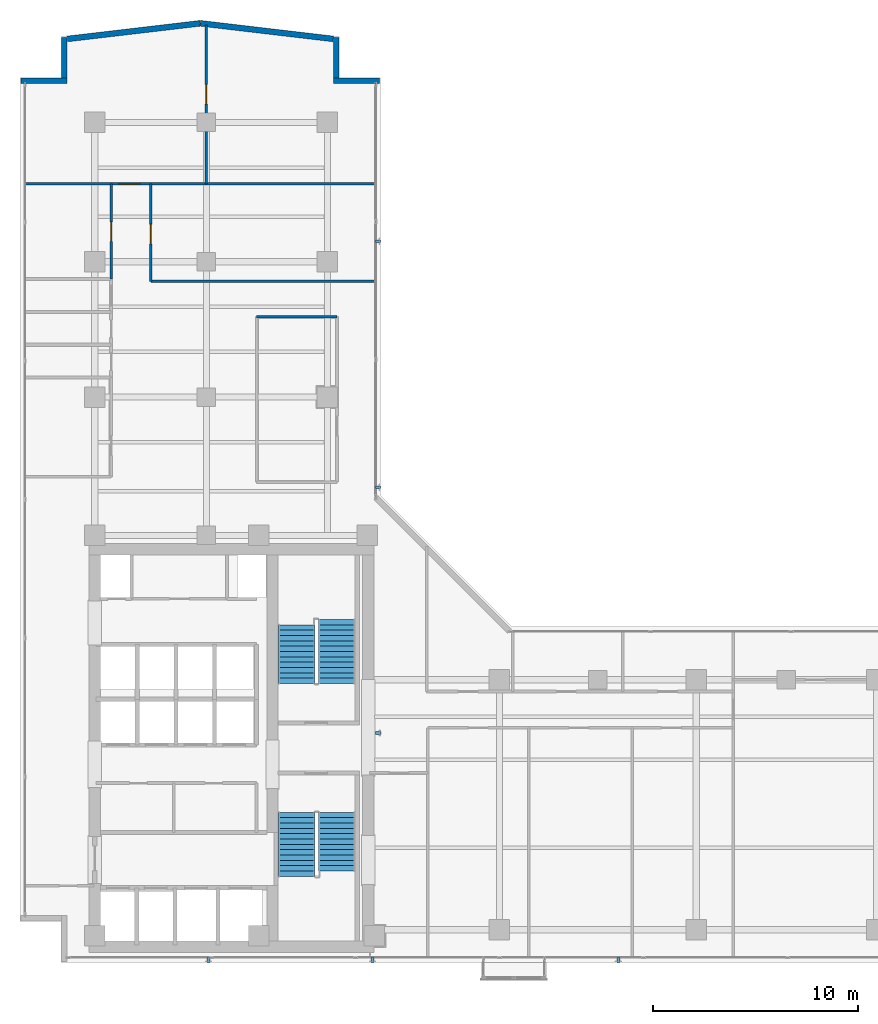
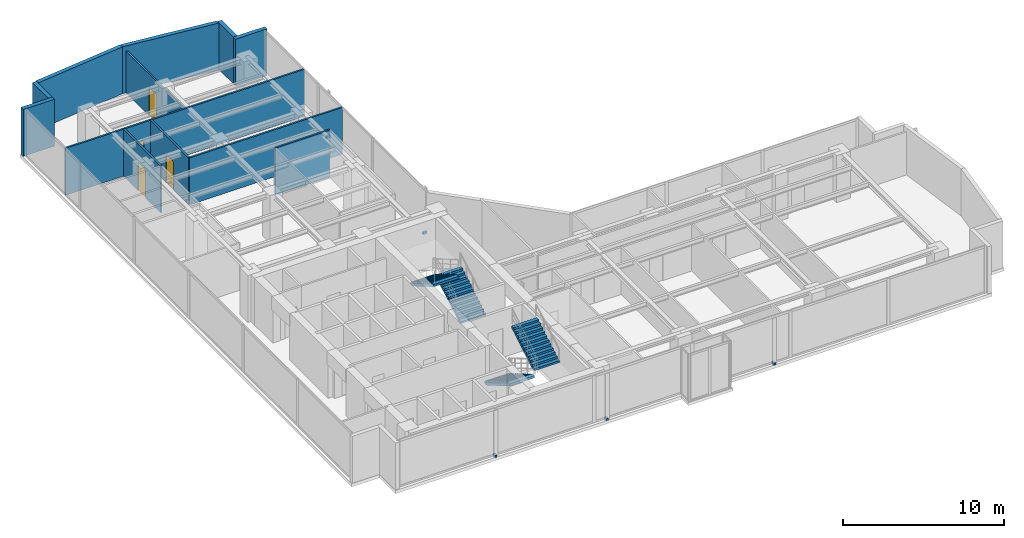
# One storey, part 19 of 23: 12 walls, 6 discrete accessories, 4 doors, 4 stair flights, 4 openings, 2 elements without a shape of their own.
"""IFC4 building model written with IfcOpenShell, lengths in metres."""

from ifc_helpers import new_model, si_unit, direction, frame, frame_2d, origin, origin_with_axes, origin_2d, place, context, subcontext, project, spatial, polyline, rectangle, outline, extrude, source, transform, mapped, material, layer, layer_set, type_object, element, fill, aggregate, save


model = new_model("IFC4")

# Units and contexts
model_context = context("Model", 3, precision=1e-05, world=origin(), true_north=direction((0.0, 1.0)))
body_context = subcontext(model_context, "Body", "Model", "MODEL_VIEW")
ifc_project = project(units=[si_unit("LENGTHUNIT", "METRE"), si_unit("AREAUNIT", "SQUARE_METRE"), si_unit("VOLUMEUNIT", "CUBIC_METRE"), si_unit("PLANEANGLEUNIT", "RADIAN"), si_unit("MASSUNIT", "GRAM", prefix="KILO")], contexts=[model_context])

# Site, building, storey
site_placement = place(None, origin())
site = spatial("IfcSite", under=ifc_project, at=site_placement, CompositionType="ELEMENT")
building_placement = place(site_placement, origin())
building = spatial("IfcBuilding", under=site, at=building_placement, Name="Kolvaren Waterfront Exchange", CompositionType="ELEMENT")
storey_placement = place(building_placement, frame((0.0, 0.0, 215.89990234375)))
storey = spatial("IfcBuildingStorey", under=building, at=storey_placement, Name="L55", CompositionType="ELEMENT", Elevation=215.89990234375)

# Walls
ifc_material_1 = material(Name="Precast concrete C40/50", Category="concrete")
ifc_layer_1 = layer(ifc_material_1, 0.280029296875, Name="Precast concrete C40/50")
ifc_layer_set_1 = layer_set([ifc_layer_1], Name="Precast concrete C40/50")
wall_type_1 = type_object("IfcWallType", Name="ARC-EXT-TERR-280", PredefinedType="SOLIDWALL", material=ifc_layer_set_1)
wall_1_placement = place(storey_placement, frame((19.10009765625, 46.639892578125, 0.0), z_axis=(0.0, 0.0, 1.0), x_axis=(1.0, 0.0, 0.0)))
element("IfcWall", 1, at=wall_1_placement, inside=storey, type_object=wall_type_1, Name="L55 notched corner spandrel pier NNE-A", PredefinedType="SOLIDWALL", context=body_context, shape_type="SweptSolid", body=[
    extrude(rectangle(XDim=2.239990234375, YDim=0.280029296875, at=frame_2d((1.1201171875, 0.0))), origin(), (0.0, 0.0, 1.0), 3.56005859375),
])
wall_2_placement = place(storey_placement, frame((19.239990234375, 46.780029296875, 0.0), z_axis=(0.0, 0.0, 1.0), x_axis=(0.0, 1.0, 0.0)))
element("IfcWall", 2, at=wall_2_placement, inside=storey, type_object=wall_type_1, Name="L55 notched corner spandrel pier NNE-B", PredefinedType="SOLIDWALL", context=body_context, shape_type="SweptSolid", body=[
    extrude(rectangle(XDim=1.9599609375, YDim=0.280029296875, at=frame_2d((0.97998046875, 0.0))), origin(), (0.0, 0.0, 1.0), 3.56005859375),
])
wall_3_placement = place(storey_placement, frame((3.860107421875, 46.639892578125, 0.0), z_axis=(0.0, 0.0, 1.0), x_axis=(1.0, 0.0, 0.0)))
element("IfcWall", 3, at=wall_3_placement, inside=storey, type_object=wall_type_1, Name="L55 notched corner spandrel pier NW-A", PredefinedType="SOLIDWALL", context=body_context, shape_type="SweptSolid", body=[
    extrude(rectangle(XDim=2.239990234375, YDim=0.280029296875, at=frame_2d((1.1201171875, 0.0))), origin(), (0.0, 0.0, 1.0), 3.56005859375),
])
wall_4_placement = place(storey_placement, frame((5.9599609375, 46.780029296875, 0.0), z_axis=(0.0, 0.0, 1.0), x_axis=(0.0, 1.0, 0.0)))
element("IfcWall", 4, at=wall_4_placement, inside=storey, type_object=wall_type_1, Name="L55 notched corner spandrel pier NW-B", PredefinedType="SOLIDWALL", context=body_context, shape_type="SweptSolid", body=[
    extrude(rectangle(XDim=1.9599609375, YDim=0.280029296875, at=frame_2d((0.97998046875, 0.0))), origin(), (0.0, 0.0, 1.0), 3.56005859375),
])
for number, where, z_axis, x_axis, name in (
    (5, (19.08349609375, 48.676025390625, 0.0), (0.0, 0.0, 1.0), (-0.993149072278, 0.11685426921, 0.0), "L55 north prow faceted facade wall 1"),
    (6, (12.598876953125, 49.438720703125, 0.0), (0.0, 0.0, 1.0), (-0.993149072278, -0.11685426921, 0.0), "L55 north prow faceted facade wall 2"),
):
    element("IfcWall", number, at=place(storey_placement, frame(where, z_axis=z_axis, x_axis=x_axis)), inside=storey, type_object=wall_type_1, Name=name, PredefinedType="SOLIDWALL", context=body_context, shape_type="SweptSolid", body=[
        extrude(rectangle(XDim=6.52685546875, YDim=0.280029296875, at=frame_2d((3.263427734375, 0.0))), origin(), (0.0, 0.0, 1.0), 3.56005859375),
    ])
ifc_material_2 = material(Name="Acoustic gypsum steel stud", Category="steel")
ifc_layer_2 = layer(ifc_material_2, 0.125, Name="Acoustic gypsum steel stud")
ifc_layer_set_2 = layer_set([ifc_layer_2], Name="Acoustic gypsum steel stud")
wall_type_2 = type_object("IfcWallType", Name="ARC-PART-125", PredefinedType="PARTITIONING", material=ifc_layer_set_2)
wall_5_placement = place(storey_placement, frame((15.35009765625, 35.1201171875, 0.0), z_axis=(0.0, 0.0, 1.0), x_axis=(1.0, 0.0, 0.0)))
element("IfcWall", 7, at=wall_5_placement, inside=storey, type_object=wall_type_2, Name="L55 interior wall PW-L55-ISL-N", PredefinedType="PARTITIONING", context=body_context, shape_type="SweptSolid", body=[
    extrude(rectangle(XDim=3.919921875, YDim=0.125, at=frame_2d((1.9599609375, 0.0))), origin(), (0.0, 0.0, 1.0), 3.56005859375),
])

# Wall, opening, door
wall_6_placement = place(storey_placement, frame((8.25, 36.949951171875, 0.0), z_axis=(0.0, 0.0, 1.0), x_axis=(0.0, 1.0, 0.0)))
wall_6 = element("IfcWall", 8, at=wall_6_placement, inside=storey, type_object=wall_type_2, Name="L55 interior wall PW-L55-NW-CORR", PredefinedType="PARTITIONING", context=body_context, shape_type="SweptSolid", body=[
    extrude(rectangle(XDim=4.650146484375, YDim=0.125, at=frame_2d((2.3251953125, 0.0))), origin(), (0.0, 0.0, 1.0), 3.56005859375),
])
opening_1_placement = place(wall_6_placement, frame((1.85009765625, 0.0, 0.0)))
opening_1 = element("IfcOpeningElement", 9, at=opening_1_placement, cuts=wall_6, Name="Opening D02", PredefinedType="OPENING", context=body_context, shape_type="SweptSolid", body=[
    extrude(rectangle(XDim=0.949951171875, YDim=2.14990234375, at=frame_2d((0.47509765625, 1.074951171875))), frame((0.0, 0.072509765625, 0.0), z_axis=(0.0, -1.0, 0.0), x_axis=(1.0, 0.0, 0.0)), (0.0, 0.0, 1.0), 0.14501953125),
])
ifc_material_3 = material(Name="Oak veneer acoustic timber", Category="wood")
door_type_1 = type_object("IfcDoorType", Name="ARC-DR-950", OperationType="NOTDEFINED", PredefinedType="DOOR", material=ifc_material_3)
door_1_placement = place(opening_1_placement, origin())
door_1 = element("IfcDoor", 10, at=door_1_placement, inside=storey, type_object=door_type_1, Name="L55 door DR-L55-NW-D-1 (D02)", OperationType="SINGLE_SWING_LEFT", OverallHeight=2.14990234375, OverallWidth=0.949951171875, PredefinedType="DOOR", context=body_context, shape_type="SweptSolid", body=[
    extrude(rectangle(XDim=0.949951171875, YDim=2.14990234375, at=frame_2d((0.47509765625, 1.074951171875))), frame((0.0, 0.02490234375, 0.0), z_axis=(0.0, -1.0, 0.0), x_axis=(1.0, 0.0, 0.0)), (0.0, 0.0, 1.0), 0.050048828125),
])
fill(opening_1, door_1)

wall_7_placement = place(storey_placement, frame((4.0400390625, 41.60009765625, 0.0), z_axis=(0.0, 0.0, 1.0), x_axis=(1.0, 0.0, 0.0)))
wall_7 = element("IfcWall", 11, at=wall_7_placement, inside=storey, type_object=wall_type_2, Name="L55 interior wall PW-L55-NTIP-S", PredefinedType="PARTITIONING", context=body_context, shape_type="SweptSolid", body=[
    extrude(rectangle(XDim=17.119873046875, YDim=0.125, at=frame_2d((8.56005859375, 0.0))), origin(), (0.0, 0.0, 1.0), 3.56005859375),
])
opening_2_placement = place(wall_7_placement, frame((4.610107421875, 0.0, 0.0)))
opening_2 = element("IfcOpeningElement", 12, at=opening_2_placement, cuts=wall_7, Name="Opening D03", PredefinedType="OPENING", context=body_context, shape_type="SweptSolid", body=[
    extrude(rectangle(XDim=1.0, YDim=2.199951171875, at=frame_2d((0.5, 1.10009765625))), frame((0.0, 0.072509765625, 0.0), z_axis=(0.0, -1.0, 0.0), x_axis=(1.0, 0.0, 0.0)), (0.0, 0.0, 1.0), 0.14501953125),
])
ifc_material_4 = material(Name="Oak veneer accessible timber", Category="wood")
door_type_2 = type_object("IfcDoorType", Name="ARC-DR-1000", OperationType="NOTDEFINED", PredefinedType="DOOR", material=ifc_material_4)
door_2_placement = place(opening_2_placement, origin())
door_2 = element("IfcDoor", 13, at=door_2_placement, inside=storey, type_object=door_type_2, Name="L55 door DR-L55-NTIPW-D (D03)", OperationType="SINGLE_SWING_RIGHT", OverallHeight=2.199951171875, OverallWidth=1.0, PredefinedType="DOOR", context=body_context, shape_type="SweptSolid", body=[
    extrude(rectangle(XDim=1.0, YDim=2.199951171875, at=frame_2d((0.5, 1.10009765625))), frame((0.0, 0.02490234375, 0.0), z_axis=(0.0, -1.0, 0.0), x_axis=(1.0, 0.0, 0.0)), (0.0, 0.0, 1.0), 0.050048828125),
])
fill(opening_2, door_2)

wall_8_placement = place(storey_placement, frame((12.89990234375, 41.60009765625, 0.0), z_axis=(0.0, 0.0, 1.0), x_axis=(0.0, 1.0, 0.0)))
wall_8 = element("IfcWall", 14, at=wall_8_placement, inside=storey, type_object=wall_type_2, Name="L55 interior wall PW-L55-NTIP-DIV", PredefinedType="PARTITIONING", context=body_context, shape_type="SweptSolid", body=[
    extrude(rectangle(XDim=7.760009765625, YDim=0.125, at=frame_2d((3.8798828125, 0.0))), origin(), (0.0, 0.0, 1.0), 3.16015625),
])
opening_3_placement = place(wall_8_placement, frame((3.8935546875, 0.0, 0.0)))
opening_3 = element("IfcOpeningElement", 15, at=opening_3_placement, cuts=wall_8, Name="Opening D02", PredefinedType="OPENING", context=body_context, shape_type="SweptSolid", body=[
    extrude(rectangle(XDim=0.949951171875, YDim=2.14990234375, at=frame_2d((0.47509765625, 1.074951171875))), frame((0.0, 0.072509765625, 0.0), z_axis=(0.0, -1.0, 0.0), x_axis=(1.0, 0.0, 0.0)), (0.0, 0.0, 1.0), 0.14501953125),
])
door_3_placement = place(opening_3_placement, origin())
door_3 = element("IfcDoor", 16, at=door_3_placement, inside=storey, type_object=door_type_1, Name="L55 door DR-L55-NTIPE-D (D02)", OperationType="SINGLE_SWING_LEFT", OverallHeight=2.14990234375, OverallWidth=0.949951171875, PredefinedType="DOOR", context=body_context, shape_type="SweptSolid", body=[
    extrude(rectangle(XDim=0.949951171875, YDim=2.14990234375, at=frame_2d((0.47509765625, 1.074951171875))), frame((0.0, 0.02490234375, 0.0), z_axis=(0.0, -1.0, 0.0), x_axis=(1.0, 0.0, 0.0)), (0.0, 0.0, 1.0), 0.050048828125),
])
fill(opening_3, door_3)

# Wall
wall_9_placement = place(storey_placement, frame((10.18994140625, 36.85009765625, 0.0), z_axis=(0.0, 0.0, 1.0), x_axis=(1.0, 0.0, 0.0)))
element("IfcWall", 17, at=wall_9_placement, inside=storey, type_object=wall_type_2, Name="L55 interior wall PW-L55-NE-S0", PredefinedType="PARTITIONING", context=body_context, shape_type="SweptSolid", body=[
    extrude(rectangle(XDim=10.969970703125, YDim=0.125, at=frame_2d((5.48486328125, 0.0))), origin(), (0.0, 0.0, 1.0), 3.56005859375),
])

# Wall, opening, door
wall_10_placement = place(storey_placement, frame((10.18994140625, 36.85009765625, 0.0), z_axis=(0.0, 0.0, 1.0), x_axis=(0.0, 1.0, 0.0)))
wall_10 = element("IfcWall", 18, at=wall_10_placement, inside=storey, type_object=wall_type_2, Name="L55 interior wall PW-L55-NE-CORR", PredefinedType="PARTITIONING", context=body_context, shape_type="SweptSolid", body=[
    extrude(rectangle(XDim=4.75, YDim=0.125, at=frame_2d((2.375, 0.0))), origin(), (0.0, 0.0, 1.0), 3.56005859375),
])
opening_4_placement = place(wall_10_placement, frame((1.82861328125, 0.0, 0.0)))
opening_4 = element("IfcOpeningElement", 19, at=opening_4_placement, cuts=wall_10, Name="Opening D02", PredefinedType="OPENING", context=body_context, shape_type="SweptSolid", body=[
    extrude(rectangle(XDim=0.949951171875, YDim=2.14990234375, at=frame_2d((0.47509765625, 1.074951171875))), frame((0.0, 0.072509765625, 0.0), z_axis=(0.0, -1.0, 0.0), x_axis=(1.0, 0.0, 0.0)), (0.0, 0.0, 1.0), 0.14501953125),
])
door_4_placement = place(opening_4_placement, origin())
door_4 = element("IfcDoor", 20, at=door_4_placement, inside=storey, type_object=door_type_1, Name="L55 door DR-L55-NE-D-1 (D02)", OperationType="SINGLE_SWING_RIGHT", OverallHeight=2.14990234375, OverallWidth=0.949951171875, PredefinedType="DOOR", context=body_context, shape_type="SweptSolid", body=[
    extrude(rectangle(XDim=0.949951171875, YDim=2.14990234375, at=frame_2d((0.47509765625, 1.074951171875))), frame((0.0, 0.02490234375, 0.0), z_axis=(0.0, -1.0, 0.0), x_axis=(1.0, 0.0, 0.0)), (0.0, 0.0, 1.0), 0.050048828125),
])
fill(opening_4, door_4)

# Stair, stair flights
ifc_material_5 = material(Name="Concrete C40/50", Category="concrete")
stair_type = type_object("IfcStairType", Name="ARC-STAIR-3800", PredefinedType="HALF_TURN_STAIR", material=ifc_material_5)
stair_1_placement = place(storey_placement, origin())
stair_1 = element("IfcStair", 21, at=stair_1_placement, inside=storey, type_object=stair_type, Name="L55 Smoke-proof exit stair ST1", PredefinedType="HALF_TURN_STAIR")
stair_flight_type = type_object("IfcStairFlightType", Name="ARC-FLIGHT-3800", PredefinedType="STRAIGHT", material=ifc_material_5)
stair_flight_1_placement = place(storey_placement, frame((17.300048828125, 10.929931640625, 0.0), z_axis=(0.0, 0.0, 1.0), x_axis=(0.0, -1.0, 0.0)))
stair_flight_1 = element("IfcStairFlight", 22, at=stair_flight_1_placement, type_object=stair_flight_type, Name="ST1 flight 1", NumberOfRisers=13, NumberOfTreads=12, PredefinedType="STRAIGHT", RiserHeight=0.152, TreadLength=0.26, context=body_context, shape_type="SweptSolid", body=[
    extrude(outline(polyline([(0.0, 0.0), (0.0, 0.152099609375), (0.260009765625, 0.152099609375), (0.260009765625, 0.303955078125), (0.52001953125, 0.303955078125), (0.52001953125, 0.4560546875), (0.780029296875, 0.4560546875), (0.780029296875, 0.60791015625), (1.0400390625, 0.60791015625), (1.0400390625, 0.760009765625), (1.300048828125, 0.760009765625), (1.300048828125, 0.912109375), (1.56005859375, 0.912109375), (1.56005859375, 1.06396484375), (1.820068359375, 1.06396484375), (1.820068359375, 1.216064453125), (2.080078125, 1.216064453125), (2.080078125, 1.367919921875), (2.340087890625, 1.367919921875), (2.340087890625, 1.52001953125), (2.60009765625, 1.52001953125), (2.60009765625, 1.672119140625), (2.860107421875, 1.672119140625), (2.860107421875, 1.823974609375), (3.1201171875, 1.823974609375), (3.1201171875, 1.97607421875), (3.1201171875, 1.650390625), (0.297119140625, 0.0), (0.0, 0.0)])), frame((0.0, 0.89990234375, 0.0), z_axis=(0.0, -1.0, 0.0), x_axis=(1.0, 0.0, 0.0)), (0.0, 0.0, 1.0), 1.800048828125),
])
stair_flight_2_placement = place(storey_placement, frame((19.260009765625, 8.070068359375, 1.97607421875), z_axis=(0.0, 0.0, 1.0), x_axis=(0.0, 1.0, 0.0)))
stair_flight_2 = element("IfcStairFlight", 23, at=stair_flight_2_placement, type_object=stair_flight_type, Name="ST1 flight 2", NumberOfRisers=12, NumberOfTreads=11, PredefinedType="STRAIGHT", RiserHeight=0.152, TreadLength=0.26, context=body_context, shape_type="SweptSolid", body=[
    extrude(outline(polyline([(0.0, 0.0), (0.0, 0.152099609375), (0.260009765625, 0.152099609375), (0.260009765625, 0.303955078125), (0.52001953125, 0.303955078125), (0.52001953125, 0.4560546875), (0.780029296875, 0.4560546875), (0.780029296875, 0.60791015625), (1.0400390625, 0.60791015625), (1.0400390625, 0.760009765625), (1.300048828125, 0.760009765625), (1.300048828125, 0.912109375), (1.56005859375, 0.912109375), (1.56005859375, 1.06396484375), (1.820068359375, 1.06396484375), (1.820068359375, 1.216064453125), (2.080078125, 1.216064453125), (2.080078125, 1.367919921875), (2.340087890625, 1.367919921875), (2.340087890625, 1.52001953125), (2.60009765625, 1.52001953125), (2.60009765625, 1.672119140625), (2.860107421875, 1.672119140625), (2.860107421875, 1.823974609375), (2.860107421875, 1.498291015625), (0.297119140625, 0.0), (0.0, 0.0)])), frame((0.0, 0.89990234375, 0.0), z_axis=(0.0, -1.0, 0.0), x_axis=(1.0, 0.0, 0.0)), (0.0, 0.0, 1.0), 1.800048828125),
])
aggregate(stair_1, [stair_flight_1, stair_flight_2])

stair_2_placement = place(storey_placement, origin())
stair_2 = element("IfcStair", 24, at=stair_2_placement, inside=storey, type_object=stair_type, Name="L55 Smoke-proof exit stair ST2", PredefinedType="HALF_TURN_STAIR")
stair_flight_3_placement = place(storey_placement, frame((19.260009765625, 17.219970703125, 0.0), z_axis=(0.0, 0.0, 1.0), x_axis=(0.0, 1.0, 0.0)))
stair_flight_3 = element("IfcStairFlight", 25, at=stair_flight_3_placement, type_object=stair_flight_type, Name="ST2 flight 1", NumberOfRisers=13, NumberOfTreads=12, PredefinedType="STRAIGHT", RiserHeight=0.152, TreadLength=0.26, context=body_context, shape_type="SweptSolid", body=[
    extrude(outline(polyline([(0.0, 0.0), (0.0, 0.152099609375), (0.260009765625, 0.152099609375), (0.260009765625, 0.303955078125), (0.52001953125, 0.303955078125), (0.52001953125, 0.4560546875), (0.780029296875, 0.4560546875), (0.780029296875, 0.60791015625), (1.0400390625, 0.60791015625), (1.0400390625, 0.760009765625), (1.300048828125, 0.760009765625), (1.300048828125, 0.912109375), (1.56005859375, 0.912109375), (1.56005859375, 1.06396484375), (1.820068359375, 1.06396484375), (1.820068359375, 1.216064453125), (2.080078125, 1.216064453125), (2.080078125, 1.367919921875), (2.340087890625, 1.367919921875), (2.340087890625, 1.52001953125), (2.60009765625, 1.52001953125), (2.60009765625, 1.672119140625), (2.860107421875, 1.672119140625), (2.860107421875, 1.823974609375), (3.1201171875, 1.823974609375), (3.1201171875, 1.97607421875), (3.1201171875, 1.650390625), (0.297119140625, 0.0), (0.0, 0.0)])), frame((0.0, 0.89990234375, 0.0), z_axis=(0.0, -1.0, 0.0), x_axis=(1.0, 0.0, 0.0)), (0.0, 0.0, 1.0), 1.800048828125),
])
stair_flight_4_placement = place(storey_placement, frame((17.300048828125, 20.080078125, 1.97607421875), z_axis=(0.0, 0.0, 1.0), x_axis=(0.0, -1.0, 0.0)))
stair_flight_4 = element("IfcStairFlight", 26, at=stair_flight_4_placement, type_object=stair_flight_type, Name="ST2 flight 2", NumberOfRisers=12, NumberOfTreads=11, PredefinedType="STRAIGHT", RiserHeight=0.152, TreadLength=0.26, context=body_context, shape_type="SweptSolid", body=[
    extrude(outline(polyline([(0.0, 0.0), (0.0, 0.152099609375), (0.260009765625, 0.152099609375), (0.260009765625, 0.303955078125), (0.52001953125, 0.303955078125), (0.52001953125, 0.4560546875), (0.780029296875, 0.4560546875), (0.780029296875, 0.60791015625), (1.0400390625, 0.60791015625), (1.0400390625, 0.760009765625), (1.300048828125, 0.760009765625), (1.300048828125, 0.912109375), (1.56005859375, 0.912109375), (1.56005859375, 1.06396484375), (1.820068359375, 1.06396484375), (1.820068359375, 1.216064453125), (2.080078125, 1.216064453125), (2.080078125, 1.367919921875), (2.340087890625, 1.367919921875), (2.340087890625, 1.52001953125), (2.60009765625, 1.52001953125), (2.60009765625, 1.672119140625), (2.860107421875, 1.672119140625), (2.860107421875, 1.823974609375), (2.860107421875, 1.498291015625), (0.297119140625, 0.0), (0.0, 0.0)])), frame((0.0, 0.89990234375, 0.0), z_axis=(0.0, -1.0, 0.0), x_axis=(1.0, 0.0, 0.0)), (0.0, 0.0, 1.0), 1.800048828125),
])
aggregate(stair_2, [stair_flight_3, stair_flight_4])

# Discrete accessories
ifc_material_6 = material(Name="Stainless steel 316", Category="steel")
discrete_accessory_type = type_object("IfcDiscreteAccessoryType", Name="ARC-BRK-FIN", PredefinedType="BRACKET", material=ifc_material_6)
shared_shape = source(origin_with_axes(), body_context, "Body", "SweptSolid", [
    extrude(rectangle(XDim=0.280029296875, YDim=0.139892578125, at=origin_2d()), origin(), (0.0, 0.0, 1.0), 0.159912109375),
])
for number, where, z_axis, x_axis, name in (
    (27, (13.0, 3.719970703125, 0.0), (0.0, 0.0, 1.0), (0.0, -1.0, 0.0), "L55 bronze fin anchor bracket FIN-L55-S1"),
    (28, (21.0, 3.719970703125, 0.0), (0.0, 0.0, 1.0), (0.0, -1.0, 0.0), "L55 bronze fin anchor bracket FIN-L55-S2"),
    (29, (33.0, 3.719970703125, 0.0), (0.0, 0.0, 1.0), (0.0, -1.0, 0.0), "L55 bronze fin anchor bracket FIN-L55-S3"),
    (30, (21.280029296875, 14.800048828125, 0.0), (0.0, 0.0, 1.0), (1.0, 0.0, 0.0), "L55 bronze fin anchor bracket FIN-L55-E1"),
    (31, (21.280029296875, 26.800048828125, 0.0), (0.0, 0.0, 1.0), (1.0, 0.0, 0.0), "L55 bronze fin anchor bracket FIN-L55-E2"),
    (32, (21.280029296875, 38.800048828125, 0.0), (0.0, 0.0, 1.0), (1.0, 0.0, 0.0), "L55 bronze fin anchor bracket FIN-L55-E3"),
):
    element("IfcDiscreteAccessory", number, at=place(storey_placement, frame(where, z_axis=z_axis, x_axis=x_axis)), inside=storey, type_object=discrete_accessory_type, Name=name, PredefinedType="BRACKET", context=body_context, shape_type="MappedRepresentation", body=[
        mapped(shared_shape, transform((0.0, 0.0, 0.0), x_axis=(1.0, 0.0, 0.0), y_axis=(0.0, 1.0, 0.0), z_axis=(0.0, 0.0, 1.0), scale=1.0)),
    ])

save(model, "model.ifc")
